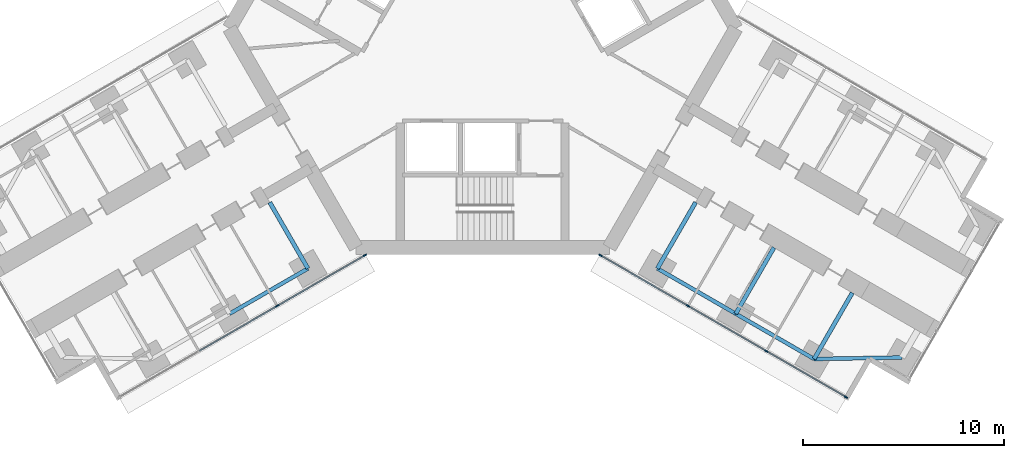
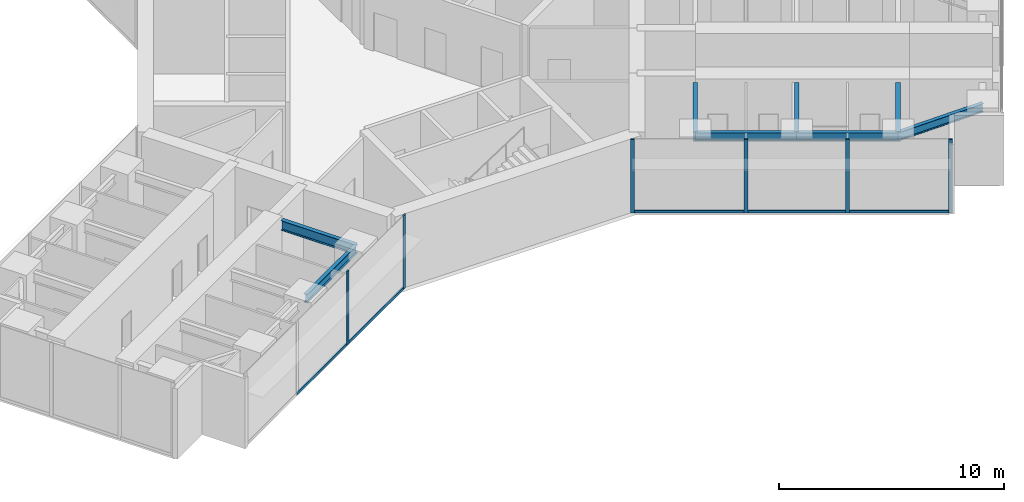
# One storey, part 9 of 25: 11 members, 8 beams, 2 elements without a shape of their own.
"""IFC4 building model written with IfcOpenShell, lengths in metres."""

from ifc_helpers import new_model, si_unit, direction, frame, origin, origin_2d, place, context, subcontext, project, spatial, rectangle, i_section, extrude, material, material_profile, profile_set, type_object, element, aggregate, save


model = new_model("IFC4")

# Units and contexts
model_context = context("Model", 3, precision=1e-05, world=origin(), true_north=direction((0.0, 1.0)))
body_context = subcontext(model_context, "Body", "Model", "MODEL_VIEW")
ifc_project = project(units=[si_unit("LENGTHUNIT", "METRE"), si_unit("AREAUNIT", "SQUARE_METRE"), si_unit("VOLUMEUNIT", "CUBIC_METRE"), si_unit("PLANEANGLEUNIT", "RADIAN"), si_unit("MASSUNIT", "GRAM", prefix="KILO")], contexts=[model_context])

# Site, building, storey
site_placement = place(None, origin())
site = spatial("IfcSite", under=ifc_project, at=site_placement, CompositionType="ELEMENT")
building_placement = place(site_placement, origin())
building = spatial("IfcBuilding", under=site, at=building_placement, Name="Upepo Twin Towers", CompositionType="ELEMENT")
storey_placement = place(building_placement, frame((0.0, 0.0, 84.5)))
storey = spatial("IfcBuildingStorey", under=building, at=storey_placement, Name="L20", CompositionType="ELEMENT", Elevation=84.5)

# Beams
ifc_material_1 = material(Name="Steel S355", Category="steel")
ifc_material_profile_1 = material_profile(ifc_material_1, i_section(OverallWidth=0.1904296875, OverallDepth=0.45703125, WebThickness=0.009033203125, FlangeThickness=0.014404296875, FilletRadius=0.01025390625, at=origin_2d()), Name="UB 457x191x74")
ifc_profile_set_1 = profile_set([ifc_material_profile_1], Name="Steel S355")
beam_type_1 = type_object("IfcBeamType", Name="Beam UB 457x191x74", PredefinedType="BEAM", material=ifc_profile_set_1)
for number, where, z_axis, x_axis, name in (
    (1, (49.80859375, -29.946044921875, 3.571533203125), (-0.866017533419, -0.500013631625, 0.0), (0.500013631625, -0.866017533419, 0.0), "T2 edge beam BL 13.5-18.0"),
    (2, (67.19140625, -29.946044921875, 3.571533203125), (0.866017533419, -0.500013631625, 0.0), (0.500013631625, 0.866017533419, 0.0), "T2 edge beam CR 13.5-18.0"),
):
    element("IfcBeam", number, at=place(storey_placement, frame(where, z_axis=z_axis, x_axis=x_axis)), inside=storey, type_object=beam_type_1, Name=name, PredefinedType="BEAM", context=body_context, shape_type="SweptSolid", body=[
        extrude(i_section(OverallWidth=0.1904296875, OverallDepth=0.45703125, WebThickness=0.009033203125, FlangeThickness=0.014404296875, FilletRadius=0.01025390625, at=origin_2d()), origin(), (0.0, 0.0, 1.0), 4.499755859375),
    ])
beam_1_placement = place(storey_placement, frame((71.08837890625, -32.196044921875, 3.571533203125), z_axis=(0.866031096941, -0.499990139034, 0.0), x_axis=(0.499990139034, 0.866031096941, 0.0)))
element("IfcBeam", 3, at=beam_1_placement, inside=storey, type_object=beam_type_1, Name="T2 edge beam CR 18.0-22.5", PredefinedType="BEAM", context=body_context, shape_type="SweptSolid", body=[
    extrude(i_section(OverallWidth=0.1904296875, OverallDepth=0.45703125, WebThickness=0.009033203125, FlangeThickness=0.014404296875, FilletRadius=0.01025390625, at=origin_2d()), origin(), (0.0, 0.0, 1.0), 4.5),
])
beam_2_placement = place(storey_placement, frame((74.985595703125, -34.446044921875, 3.571533203125), z_axis=(0.999858804832, 0.016803880528, 0.0), x_axis=(-0.016803880528, 0.999858804832, 0.0)))
element("IfcBeam", 4, at=beam_2_placement, inside=storey, type_object=beam_type_1, Name="T2 nose edge beam CR", PredefinedType="BEAM", context=body_context, shape_type="SweptSolid", body=[
    extrude(i_section(OverallWidth=0.1904296875, OverallDepth=0.45703125, WebThickness=0.009033203125, FlangeThickness=0.014404296875, FilletRadius=0.01025390625, at=origin_2d()), origin(), (0.0, 0.0, 1.0), 4.373291015625),
])
ifc_material_2 = material(Name="Steel S355", Category="steel")
ifc_material_profile_2 = material_profile(ifc_material_2, i_section(OverallWidth=0.209228515625, OverallDepth=0.533203125, WebThickness=0.010009765625, FlangeThickness=0.015625, FilletRadius=0.0126953125, at=origin_2d()), Name="UB 533x210x92")
ifc_profile_set_2 = profile_set([ifc_material_profile_2], Name="Steel S355")
beam_type_2 = type_object("IfcBeamType", Name="Beam UB 533x210x92", PredefinedType="BEAM", material=ifc_profile_set_2)
for number, where, z_axis, x_axis, name in (
    (5, (49.80859375, -29.946044921875, 3.533447265625), (-0.499994975061, 0.866028304915, 0.0), (-0.866028304915, -0.499994975061, 0.0), "T2 girder BL at 13.5"),
    (6, (67.19140625, -29.946044921875, 3.533447265625), (0.499994975061, 0.866028304915, 0.0), (-0.866028304915, 0.499994975061, 0.0), "T2 girder CR at 13.5"),
):
    element("IfcBeam", number, at=place(storey_placement, frame(where, z_axis=z_axis, x_axis=x_axis)), inside=storey, type_object=beam_type_2, Name=name, PredefinedType="BEAM", context=body_context, shape_type="SweptSolid", body=[
        extrude(i_section(OverallWidth=0.209228515625, OverallDepth=0.533203125, WebThickness=0.010009765625, FlangeThickness=0.015625, FilletRadius=0.0126953125, at=origin_2d()), origin(), (0.0, 0.0, 1.0), 3.7998046875),
    ])
beam_3_placement = place(storey_placement, frame((71.08837890625, -32.196044921875, 3.533447265625), z_axis=(0.500043160704, 0.866000483506, 0.0), x_axis=(-0.866000483506, 0.500043160704, 0.0)))
element("IfcBeam", 7, at=beam_3_placement, inside=storey, type_object=beam_type_2, Name="T2 girder CR at 18.0", PredefinedType="BEAM", context=body_context, shape_type="SweptSolid", body=[
    extrude(i_section(OverallWidth=0.209228515625, OverallDepth=0.533203125, WebThickness=0.010009765625, FlangeThickness=0.015625, FilletRadius=0.0126953125, at=origin_2d()), origin(), (0.0, 0.0, 1.0), 3.800048828125),
])
beam_4_placement = place(storey_placement, frame((74.985595703125, -34.446044921875, 3.533447265625), z_axis=(0.499994975061, 0.866028304915, 0.0), x_axis=(-0.866028304915, 0.499994975061, 0.0)))
element("IfcBeam", 8, at=beam_4_placement, inside=storey, type_object=beam_type_2, Name="T2 girder CR at 22.5", PredefinedType="BEAM", context=body_context, shape_type="SweptSolid", body=[
    extrude(i_section(OverallWidth=0.209228515625, OverallDepth=0.533203125, WebThickness=0.010009765625, FlangeThickness=0.015625, FilletRadius=0.0126953125, at=origin_2d()), origin(), (0.0, 0.0, 1.0), 3.7998046875),
])

# Curtain wall, members
ifc_material_3 = material(Name="Aluminium and fritted glass", Category="aluminium")
curtain_wall_type = type_object("IfcCurtainWallType", Name="Tower curtain wall TW1, fritted glass", PredefinedType="NOTDEFINED", material=ifc_material_3)
curtain_wall_1_placement = place(storey_placement, origin())
curtain_wall_1 = element("IfcCurtainWall", 9, at=curtain_wall_1_placement, inside=storey, type_object=curtain_wall_type, Name="T2 L20 wing B flank L curtain wall", PredefinedType="NOTDEFINED")
ifc_material_4 = material(Name="Aluminium mullion", Category="aluminium")
ifc_material_profile_3 = material_profile(ifc_material_4, rectangle(XDim=0.06494140625, YDim=0.179931640625, at=origin_2d()), Name="MULLION 65x180")
ifc_profile_set_3 = profile_set([ifc_material_profile_3], Name="Aluminium mullion")
member_type_1 = type_object("IfcMemberType", Name="Mullion 65x180 TW1", PredefinedType="MULLION", material=ifc_profile_set_3)
member_1_placement = place(storey_placement, frame((52.6416015625, -29.2919921875, 0.0), z_axis=(0.0, 0.0, 1.0), x_axis=(0.500000024426, -0.866025389682, 0.0)))
member_1 = element("IfcMember", 10, at=member_1_placement, type_object=member_type_1, Name="T2 L20 wing B flank L curtain wall mullion 1", PredefinedType="MULLION", context=body_context, shape_type="SweptSolid", body=[
    extrude(rectangle(XDim=0.06494140625, YDim=0.179931640625, at=origin_2d()), origin(), (0.0, 0.0, 1.0), 4.0),
])
member_2_placement = place(storey_placement, frame((48.28515625, -31.807373046875, 0.0), z_axis=(0.0, 0.0, 1.0), x_axis=(0.500000024426, -0.866025389682, 0.0)))
member_2 = element("IfcMember", 11, at=member_2_placement, type_object=member_type_1, Name="T2 L20 wing B flank L curtain wall mullion 2", PredefinedType="MULLION", context=body_context, shape_type="SweptSolid", body=[
    extrude(rectangle(XDim=0.06494140625, YDim=0.179931640625, at=origin_2d()), origin(), (0.0, 0.0, 1.0), 4.0),
])

curtain_wall_2_placement = place(storey_placement, origin())
curtain_wall_2 = element("IfcCurtainWall", 12, at=curtain_wall_2_placement, inside=storey, type_object=curtain_wall_type, Name="T2 L20 wing C flank R curtain wall", PredefinedType="NOTDEFINED")
member_3_placement = place(storey_placement, frame((76.567626953125, -36.341064453125, 0.0), z_axis=(0.0, 0.0, 1.0), x_axis=(-0.500000024426, -0.866025389682, 0.0)))
member_3 = element("IfcMember", 13, at=member_3_placement, type_object=member_type_1, Name="T2 L20 wing C flank R curtain wall mullion 1", PredefinedType="MULLION", context=body_context, shape_type="SweptSolid", body=[
    extrude(rectangle(XDim=0.06494140625, YDim=0.179931640625, at=origin_2d()), origin(), (0.0, 0.0, 1.0), 4.0),
])
member_4_placement = place(storey_placement, frame((72.612060546875, -34.057373046875, 0.0), z_axis=(0.0, 0.0, 1.0), x_axis=(-0.500000024426, -0.866025389682, 0.0)))
member_4 = element("IfcMember", 14, at=member_4_placement, type_object=member_type_1, Name="T2 L20 wing C flank R curtain wall mullion 2", PredefinedType="MULLION", context=body_context, shape_type="SweptSolid", body=[
    extrude(rectangle(XDim=0.06494140625, YDim=0.179931640625, at=origin_2d()), origin(), (0.0, 0.0, 1.0), 4.0),
])
member_5_placement = place(storey_placement, frame((68.71484375, -31.807373046875, 0.0), z_axis=(0.0, 0.0, 1.0), x_axis=(-0.500000024426, -0.866025389682, 0.0)))
member_5 = element("IfcMember", 15, at=member_5_placement, type_object=member_type_1, Name="T2 L20 wing C flank R curtain wall mullion 3", PredefinedType="MULLION", context=body_context, shape_type="SweptSolid", body=[
    extrude(rectangle(XDim=0.06494140625, YDim=0.179931640625, at=origin_2d()), origin(), (0.0, 0.0, 1.0), 4.0),
])
member_6_placement = place(storey_placement, frame((64.3583984375, -29.2919921875, 0.0), z_axis=(0.0, 0.0, 1.0), x_axis=(-0.500000024426, -0.866025389682, 0.0)))
member_6 = element("IfcMember", 16, at=member_6_placement, type_object=member_type_1, Name="T2 L20 wing C flank R curtain wall mullion 4", PredefinedType="MULLION", context=body_context, shape_type="SweptSolid", body=[
    extrude(rectangle(XDim=0.06494140625, YDim=0.179931640625, at=origin_2d()), origin(), (0.0, 0.0, 1.0), 4.0),
])

# Member
ifc_material_5 = material(Name="Aluminium transom", Category="aluminium")
ifc_material_profile_4 = material_profile(ifc_material_5, rectangle(XDim=0.06494140625, YDim=0.14990234375, at=origin_2d()), Name="TRANSOM 65x150")
ifc_profile_set_4 = profile_set([ifc_material_profile_4], Name="Aluminium transom")
member_type_2 = type_object("IfcMemberType", Name="Transom 65x150 TW1", PredefinedType="USERDEFINED", material=ifc_profile_set_4)
member_7_placement = place(storey_placement, frame((52.61328125, -29.308349609375, 0.074951171875), z_axis=(-0.866022642139, -0.50000478328, 0.0), x_axis=(0.50000478328, -0.866022642139, 0.0)))
member_7 = element("IfcMember", 17, at=member_7_placement, type_object=member_type_2, Name="T2 L20 wing B flank L curtain wall transom 1", ObjectType="TRANSOM", PredefinedType="USERDEFINED", context=body_context, shape_type="SweptSolid", body=[
    extrude(rectangle(XDim=0.06494140625, YDim=0.14990234375, at=origin_2d()), origin(), (0.0, 0.0, 1.0), 4.96533203125),
])

member_8_placement = place(storey_placement, frame((48.2568359375, -31.823486328125, 0.074951171875), z_axis=(-0.866022410713, -0.500005184116, 0.0), x_axis=(0.500005184116, -0.866022410713, 0.0)))
member_8 = element("IfcMember", 18, at=member_8_placement, type_object=member_type_2, Name="T2 L20 wing B flank L curtain wall transom 2", ObjectType="TRANSOM", PredefinedType="USERDEFINED", context=body_context, shape_type="SweptSolid", body=[
    extrude(rectangle(XDim=0.06494140625, YDim=0.14990234375, at=origin_2d()), origin(), (0.0, 0.0, 1.0), 4.43505859375),
])

aggregate(curtain_wall_1, [member_1, member_2, member_7, member_8])

member_9_placement = place(storey_placement, frame((76.53955078125, -36.32470703125, 0.074951171875), z_axis=(-0.866035699072, 0.499982167615, 0.0), x_axis=(-0.499982167615, -0.866035699072, 0.0)))
member_9 = element("IfcMember", 19, at=member_9_placement, type_object=member_type_2, Name="T2 L20 wing C flank R curtain wall transom 1", ObjectType="TRANSOM", PredefinedType="USERDEFINED", context=body_context, shape_type="SweptSolid", body=[
    extrude(rectangle(XDim=0.06494140625, YDim=0.14990234375, at=origin_2d()), origin(), (0.0, 0.0, 1.0), 4.502685546875),
])

member_10_placement = place(storey_placement, frame((72.583984375, -34.041015625, 0.074951171875), z_axis=(-0.866022410713, 0.500005184116, 0.0), x_axis=(-0.500005184116, -0.866022410713, 0.0)))
member_10 = element("IfcMember", 20, at=member_10_placement, type_object=member_type_2, Name="T2 L20 wing C flank R curtain wall transom 2", ObjectType="TRANSOM", PredefinedType="USERDEFINED", context=body_context, shape_type="SweptSolid", body=[
    extrude(rectangle(XDim=0.06494140625, YDim=0.14990234375, at=origin_2d()), origin(), (0.0, 0.0, 1.0), 4.43505859375),
])

member_11_placement = place(storey_placement, frame((68.686767578125, -31.791015625, 0.074951171875), z_axis=(-0.866022642139, 0.50000478328, 0.0), x_axis=(-0.50000478328, -0.866022642139, 0.0)))
member_11 = element("IfcMember", 21, at=member_11_placement, type_object=member_type_2, Name="T2 L20 wing C flank R curtain wall transom 3", ObjectType="TRANSOM", PredefinedType="USERDEFINED", context=body_context, shape_type="SweptSolid", body=[
    extrude(rectangle(XDim=0.06494140625, YDim=0.14990234375, at=origin_2d()), origin(), (0.0, 0.0, 1.0), 4.96533203125),
])

aggregate(curtain_wall_2, [member_3, member_4, member_5, member_6, member_9, member_10, member_11])

save(model, "model.ifc")
